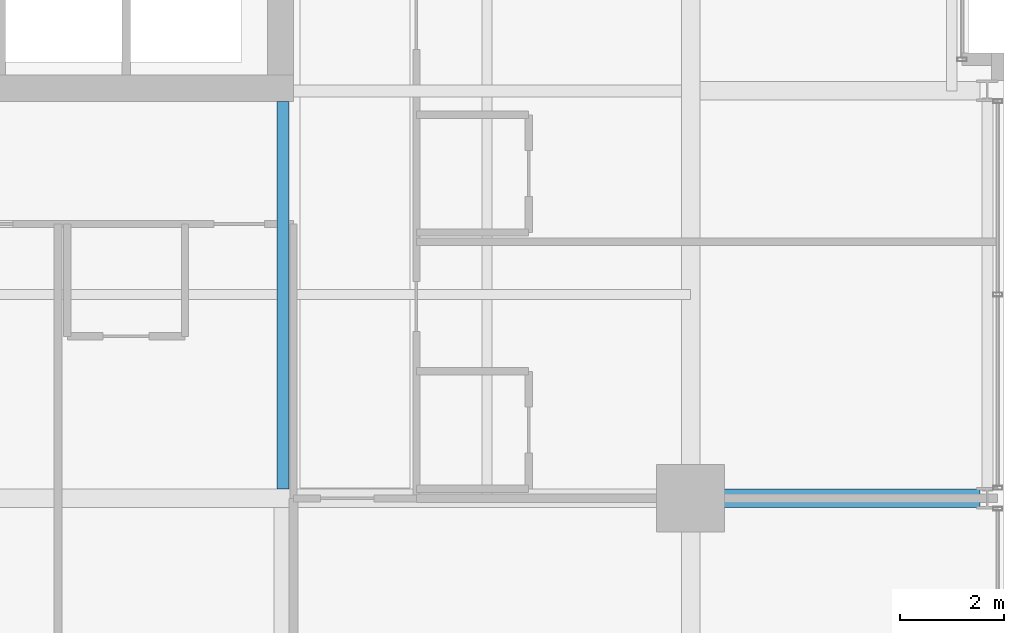
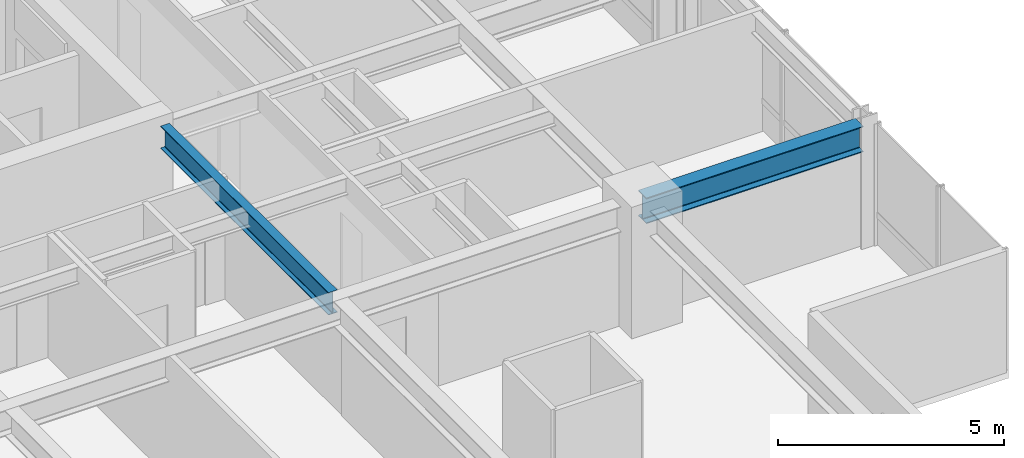
# One storey, part 12 of 33: 2 beams.
"""IFC4 building model written with IfcOpenShell, lengths in metres."""

from ifc_helpers import new_model, si_unit, direction, frame, origin, origin_2d, place, context, subcontext, project, spatial, i_section, extrude, material, material_profile, profile_set, type_object, element, save


model = new_model("IFC4")

# Units and contexts
model_context = context("Model", 3, precision=1e-05, world=origin(), true_north=direction((0.0, 1.0)))
body_context = subcontext(model_context, "Body", "Model", "MODEL_VIEW")
ifc_project = project(units=[si_unit("LENGTHUNIT", "METRE"), si_unit("AREAUNIT", "SQUARE_METRE"), si_unit("VOLUMEUNIT", "CUBIC_METRE"), si_unit("PLANEANGLEUNIT", "RADIAN"), si_unit("MASSUNIT", "GRAM", prefix="KILO")], contexts=[model_context])

# Site, building, storey
site_placement = place(None, origin())
site = spatial("IfcSite", under=ifc_project, at=site_placement, CompositionType="ELEMENT")
building_placement = place(site_placement, origin())
building = spatial("IfcBuilding", under=site, at=building_placement, Name="Drelvath Grand Hotel", CompositionType="ELEMENT")
storey_placement = place(building_placement, frame((0.0, 0.0, 153.949951171875)))
storey = spatial("IfcBuildingStorey", under=building, at=storey_placement, Name="L39", CompositionType="ELEMENT", Elevation=153.949951171875)

# Beams
ifc_material = material(Name="Steel ASTM A992 Gr 50", Category="steel")
ifc_material_profile_1 = material_profile(ifc_material, i_section(OverallWidth=0.228271484375, OverallDepth=0.607666015625, WebThickness=0.01123046875, FlangeThickness=0.017333984375, FilletRadius=0.02001953125, at=origin_2d()), Name="W24X76")
ifc_profile_set_1 = profile_set([ifc_material_profile_1], Name="Steel ASTM A992 Gr 50")
beam_type_1 = type_object("IfcBeamType", Name="Primary Floor Girder W24X76", PredefinedType="BEAM", material=ifc_profile_set_1)
beam_1_placement = place(storey_placement, frame((8.39990234375, 10.977294921875, 2.986328125), z_axis=(0.0, 1.0, 0.0), x_axis=(-1.0, 0.0, 0.0)))
element("IfcBeam", 1, at=beam_1_placement, inside=storey, type_object=beam_type_1, Name="L39 South Core Tie 6", PredefinedType="BEAM", context=body_context, shape_type="SweptSolid", body=[
    extrude(i_section(OverallWidth=0.228271484375, OverallDepth=0.607666015625, WebThickness=0.01123046875, FlangeThickness=0.017333984375, FilletRadius=0.02001953125, at=origin_2d()), origin(), (0.0, 0.0, 1.0), 7.422607421875),
])
ifc_material_profile_2 = material_profile(ifc_material, i_section(OverallWidth=0.354736328125, OverallDepth=0.695556640625, WebThickness=0.015380859375, FlangeThickness=0.025146484375, FilletRadius=0.02392578125, at=origin_2d()), Name="W27X146")
ifc_profile_set_2 = profile_set([ifc_material_profile_2], Name="Steel ASTM A992 Gr 50")
beam_type_2 = type_object("IfcBeamType", Name="Primary Floor Girder W27X146", PredefinedType="BEAM", material=ifc_profile_set_2)
beam_2_placement = place(storey_placement, frame((16.199951171875, 10.800048828125, 2.9423828125), z_axis=(1.0, 0.0, 0.0), x_axis=(0.0, 1.0, 0.0)))
element("IfcBeam", 2, at=beam_2_placement, inside=storey, type_object=beam_type_2, Name="L39 East Grid Girder C", PredefinedType="BEAM", context=body_context, shape_type="SweptSolid", body=[
    extrude(i_section(OverallWidth=0.354736328125, OverallDepth=0.695556640625, WebThickness=0.015380859375, FlangeThickness=0.025146484375, FilletRadius=0.02392578125, at=origin_2d()), origin(), (0.0, 0.0, 1.0), 5.5400390625),
])

save(model, "model.ifc")
